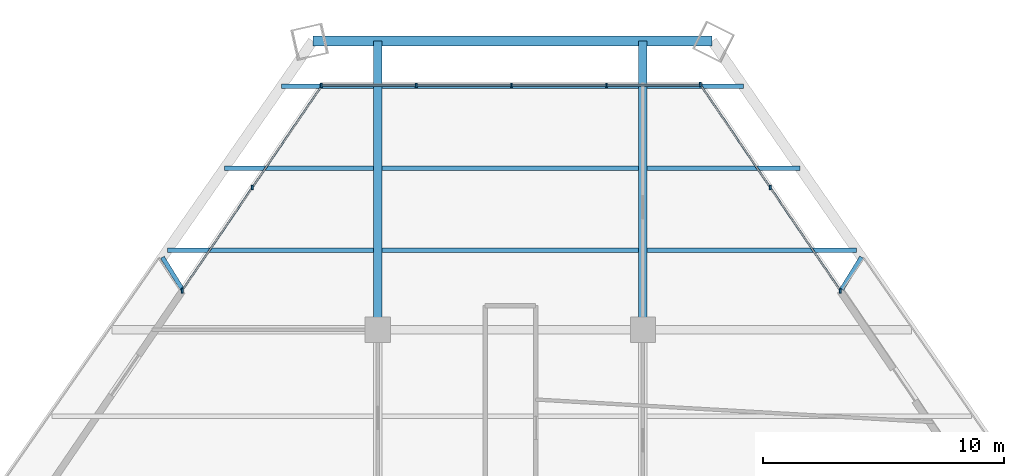
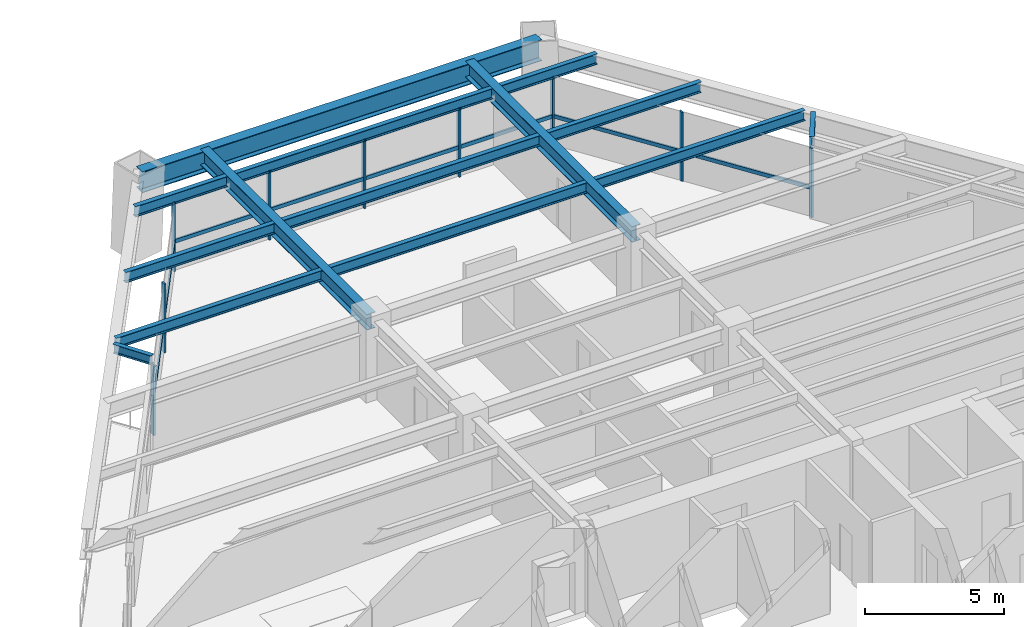
# One storey, part 8 of 14: 18 members, 14 beams, 3 elements without a shape of their own.
"""IFC4 building model written with IfcOpenShell, lengths in metres."""

import ifcopenshell
import ifcopenshell.guid

model = None  # the IFC model being written
_history = None  # IfcOwnerHistory: only IFC2X3 demands one
_inside = {}  # id of a spatial element -> (the spatial element, [elements in it])
_under = {}  # id of a project, library or spatial element -> (it, [spatial elements below it])
_declared = {}  # id of a project -> (the project, [libraries it declares])
_typed = {}  # id of a type object -> (the type object, [elements of that type])
_made_of = {}  # id of a material, layer set ... -> (it, [elements and type objects made of it])


def new_model(schema):
    """Start an empty IFC model of exactly this schema.

    Asked for "IFC4X3", IfcOpenShell would pick the latest addendum, in which some entities
    have other attributes; the version numbers below select the first issue.
    IFC2X3 requires an IfcOwnerHistory on every rooted entity: one is made here for all.
    """
    global model, _history
    if schema == "IFC4X3":
        model = ifcopenshell.file(schema_version=(4, 3, 0, 0))
    else:
        model = ifcopenshell.file(schema=schema)
    _inside.clear()
    _under.clear()
    _declared.clear()
    _typed.clear()
    _made_of.clear()
    _history = None
    if model.schema == "IFC2X3":
        org = make("IfcOrganization", Name="unknown")
        user = make(
            "IfcPersonAndOrganization",
            ThePerson=make("IfcPerson", FamilyName="unknown"),
            TheOrganization=org,
        )
        app = make(
            "IfcApplication",
            ApplicationDeveloper=org,
            Version="unknown",
            ApplicationFullName="unknown",
            ApplicationIdentifier="unknown",
        )
        _history = make(
            "IfcOwnerHistory",
            OwningUser=user,
            OwningApplication=app,
            ChangeAction="ADDED",
            CreationDate=0,
        )
    return model


def make(cls, **values):
    """One entity of the class cls with the attributes given. An attribute that is None is left unset."""
    return model.create_entity(
        cls, **{name: value for name, value in values.items() if value is not None}
    )


def rooted(cls, **values):
    """An entity with a GlobalId (a new one), such as an element, a storey or a relation."""
    return make(cls, GlobalId=ifcopenshell.guid.new(), OwnerHistory=_history, **values)


def si_unit(unit_type, name, prefix=None):
    """IfcSIUnit, for example si_unit("LENGTHUNIT", "METRE", prefix="MILLI")."""
    return make("IfcSIUnit", UnitType=unit_type, Prefix=prefix, Name=name)


def assignment(units):
    """IfcUnitAssignment: the units of a project."""
    return None if units is None else make("IfcUnitAssignment", Units=units)


def point(xyz):
    """IfcCartesianPoint."""
    return None if xyz is None else make("IfcCartesianPoint", Coordinates=xyz)


def direction(xyz):
    """IfcDirection."""
    return None if xyz is None else make("IfcDirection", DirectionRatios=xyz)


def frame(location, z_axis=None, x_axis=None):
    """IfcAxis2Placement3D, a coordinate frame: its origin and axes. An axis left out is left unset."""
    return make(
        "IfcAxis2Placement3D",
        Location=point(location),
        Axis=direction(z_axis),
        RefDirection=direction(x_axis),
    )


def frame_2d(location, x_axis=None):
    """IfcAxis2Placement2D, a coordinate frame in the plane: its origin and x axis."""
    return make(
        "IfcAxis2Placement2D", Location=point(location), RefDirection=direction(x_axis)
    )


def origin():
    """The frame at (0, 0, 0) with its axes left unset."""
    return frame((0.0, 0.0, 0.0))


def origin_2d():
    """The frame at (0, 0) in the plane with its x axis left unset."""
    return frame_2d((0.0, 0.0))


def place(relative_to, where):
    """IfcLocalPlacement: puts the frame where relative to a parent placement (None: the world)."""
    return make(
        "IfcLocalPlacement", PlacementRelTo=relative_to, RelativePlacement=where
    )


def context(
    kind, dimensions, precision=None, world=None, true_north=None, identifier=None
):
    """IfcGeometricRepresentationContext, for example the 3D "Model" context."""
    return make(
        "IfcGeometricRepresentationContext",
        ContextIdentifier=identifier,
        ContextType=kind,
        CoordinateSpaceDimension=dimensions,
        Precision=precision,
        WorldCoordinateSystem=world,
        TrueNorth=true_north,
    )


def subcontext(parent, identifier, kind, view, scale=None):
    """IfcGeometricRepresentationSubContext, for example "Body" below "Model"."""
    return make(
        "IfcGeometricRepresentationSubContext",
        ContextIdentifier=identifier,
        ContextType=kind,
        ParentContext=parent,
        TargetScale=scale,
        TargetView=view,
    )


def project(units=None, contexts=None):
    """IfcProject with its units and contexts."""
    return rooted(
        "IfcProject",
        Name="project",
        RepresentationContexts=contexts,
        UnitsInContext=assignment(units),
    )


def spatial(cls, under=None, at=None, **own):
    """A site, building, storey or space (cls), placed at a placement, below another one or the project."""
    s = rooted(cls, ObjectPlacement=at, **own)
    if under is not None:
        _under.setdefault(under.id(), (under, []))[1].append(s)
    return s


def profile(cls, at=None, kind="AREA", **sizes):
    """A parametric profile (cls). Its sizes go by their IFC names, for example OverallWidth=200.0."""
    return make(cls, ProfileType=kind, Position=at, **sizes)


def rectangle(**sizes):
    """IfcRectangleProfileDef."""
    return profile("IfcRectangleProfileDef", **sizes)


def i_section(**sizes):
    """IfcIShapeProfileDef."""
    return profile("IfcIShapeProfileDef", **sizes)


def extrude(swept, where, along, depth):
    """IfcExtrudedAreaSolid: the profile swept, set in the frame where, extruded along a direction by depth."""
    return make(
        "IfcExtrudedAreaSolid",
        SweptArea=swept,
        Position=where,
        ExtrudedDirection=direction(along),
        Depth=depth,
    )


def shape(context_of_items, identifier, shape_type, items):
    """IfcShapeRepresentation: the items that make up one representation, for example the "Body"."""
    return make(
        "IfcShapeRepresentation",
        ContextOfItems=context_of_items,
        RepresentationIdentifier=identifier,
        RepresentationType=shape_type,
        Items=items,
    )


def source(mapping_origin, context_of_items, identifier, shape_type, items):
    """IfcRepresentationMap: a shape defined once, which mapped items show again and again."""
    return make(
        "IfcRepresentationMap",
        MappingOrigin=mapping_origin,
        MappedRepresentation=shape(context_of_items, identifier, shape_type, items),
    )


def transform(
    local_origin,
    x_axis=None,
    y_axis=None,
    z_axis=None,
    scale=None,
    scale2=None,
    scale3=None,
    uniform=True,
):
    """IfcCartesianTransformationOperator3D, or its non-uniform kind. x_axis, y_axis, z_axis: its Axis1, 2, 3."""
    if uniform:
        return make(
            "IfcCartesianTransformationOperator3D",
            Axis1=direction(x_axis),
            Axis2=direction(y_axis),
            LocalOrigin=point(local_origin),
            Scale=scale,
            Axis3=direction(z_axis),
        )
    return make(
        "IfcCartesianTransformationOperator3DnonUniform",
        Axis1=direction(x_axis),
        Axis2=direction(y_axis),
        LocalOrigin=point(local_origin),
        Scale=scale,
        Axis3=direction(z_axis),
        Scale2=scale2,
        Scale3=scale3,
    )


def mapped(mapping_source, mapping_target):
    """IfcMappedItem: shows the shape of a source again, moved by a transform."""
    return make(
        "IfcMappedItem", MappingSource=mapping_source, MappingTarget=mapping_target
    )


def material(Name=None, Category=None):
    """IfcMaterial."""
    return make("IfcMaterial", Name=Name, Category=Category)


def material_profile(
    of_material, cross_section, Name=None, Category=None, Priority=None
):
    """IfcMaterialProfile: a cross section and its material."""
    return make(
        "IfcMaterialProfile",
        Name=Name,
        Material=of_material,
        Profile=cross_section,
        Priority=Priority,
        Category=Category,
    )


def profile_set(profiles, Name=None, composite=None):
    """IfcMaterialProfileSet."""
    return make(
        "IfcMaterialProfileSet",
        Name=Name,
        MaterialProfiles=profiles,
        CompositeProfile=composite,
    )


def made_of(thing, what):
    """Note that an element or type object is made of a material, layer set ...; save() writes the relation."""
    if what is not None:
        _made_of.setdefault(what.id(), (what, []))[1].append(thing)
    return thing


def type_object(cls, material=None, **own):
    """A type object (cls), such as IfcWallType, which elements share."""
    return made_of(rooted(cls, **own), material)


def type_shapes(of_type, sources):
    """Give a type object the sources (RepresentationMaps) that its elements show as mapped items."""
    of_type.RepresentationMaps = sources


def element(
    cls,
    number,
    at=None,
    inside=None,
    cuts=None,
    type_object=None,
    material=None,
    context=None,
    identifier="Body",
    shape_type=None,
    held_by="IfcProductDefinitionShape",
    body=None,
    shapes=None,
    **own,
):
    """One element of the class cls, such as IfcWall. Its Tag is "e" and its number.

    at: its placement. inside: the storey or other place that contains it. cuts: it is an
    opening in that element (IfcRelVoidsElement). A single representation is given by context,
    identifier, shape_type and body (its items); several are given by shapes. held_by: the class
    of the entity that holds the representations. save() writes the other relations.
    """
    e = rooted(cls, Tag="e%d" % number, ObjectPlacement=at, **own)
    if body is not None:
        shapes = [shape(context, identifier, shape_type, body)]
    if shapes is not None:
        e.Representation = make(held_by, Representations=shapes)
    if inside is not None:
        _inside.setdefault(inside.id(), (inside, []))[1].append(e)
    if cuts is not None:
        rooted(
            "IfcRelVoidsElement", RelatingBuildingElement=cuts, RelatedOpeningElement=e
        )
    if type_object is not None:
        _typed.setdefault(type_object.id(), (type_object, []))[1].append(e)
    return made_of(e, material)


def aggregate(whole, parts):
    """IfcRelAggregates: a whole, such as a stair, and the parts it consists of."""
    return rooted("IfcRelAggregates", RelatingObject=whole, RelatedObjects=parts)


def save(model, path):
    """Write the relations noted so far, then the file.

    IfcRelAggregates (storeys below a building ...), IfcRelContainedInSpatialStructure (elements
    in a storey), IfcRelDefinesByType, IfcRelAssociatesMaterial and IfcRelDeclares: one each for
    every whole, place, type object, material and project.
    """
    for whole, parts in _under.values():
        aggregate(whole, parts)
    for where, things in _inside.values():
        rooted(
            "IfcRelContainedInSpatialStructure",
            RelatedElements=things,
            RelatingStructure=where,
        )
    for kind, things in _typed.values():
        rooted("IfcRelDefinesByType", RelatedObjects=things, RelatingType=kind)
    for what, things in _made_of.values():
        rooted("IfcRelAssociatesMaterial", RelatedObjects=things, RelatingMaterial=what)
    for by, libraries in _declared.values():
        rooted("IfcRelDeclares", RelatingContext=by, RelatedDefinitions=libraries)
    model.write(path)


model = new_model("IFC4")

# Units and contexts
model_context = context("Model", 3, precision=1e-05, world=origin(), true_north=direction((0.0, 1.0)))
body_context = subcontext(model_context, "Body", "Model", "MODEL_VIEW")
ifc_project = project(units=[si_unit("LENGTHUNIT", "METRE"), si_unit("AREAUNIT", "SQUARE_METRE"), si_unit("VOLUMEUNIT", "CUBIC_METRE"), si_unit("PLANEANGLEUNIT", "RADIAN"), si_unit("MASSUNIT", "GRAM", prefix="KILO")], contexts=[model_context])

# Site, building, storey
site_placement = place(None, origin())
site = spatial("IfcSite", under=ifc_project, at=site_placement, CompositionType="ELEMENT")
building_placement = place(site_placement, origin())
building = spatial("IfcBuilding", under=site, at=building_placement, Name="Varnakhor Terracotta Tower", CompositionType="ELEMENT")
storey_placement = place(building_placement, frame((0.0, 0.0, 31.199951171875)))
storey = spatial("IfcBuildingStorey", under=building, at=storey_placement, Name="L06", CompositionType="ELEMENT", Elevation=31.199951171875)

# Beams
ifc_material_1 = material(Name="Steel S355", Category="steel")
ifc_material_profile_1 = material_profile(ifc_material_1, i_section(OverallWidth=0.19189453125, OverallDepth=0.462890625, WebThickness=0.010498046875, FlangeThickness=0.017578125, FilletRadius=0.01806640625, at=origin_2d()), Name="W18X60")
ifc_profile_set_1 = profile_set([ifc_material_profile_1], Name="Steel S355")
beam_type_1 = type_object("IfcBeamType", Name="JST-W18X60", PredefinedType="JOIST", material=ifc_profile_set_1)
shared_shape_1 = source(origin(), body_context, "Body", "SweptSolid", [
    extrude(i_section(OverallWidth=0.19189453125, OverallDepth=0.462890625, WebThickness=0.010498046875, FlangeThickness=0.017578125, FilletRadius=0.01806640625, at=origin_2d()), origin(), (0.0, 0.0, 1.0), 10.65283203125),
])
for number, where, z_axis, x_axis, name in (
    (1, (-5.326416015625, 34.800048828125, 3.218505859375), (1.0, 0.0, 0.0), (0.0, 1.0, 0.0), "L06 Composite Floor Joist 7-2"),
    (2, (-5.326416015625, 38.199951171875, 3.218505859375), (1.0, 0.0, 0.0), (0.0, 1.0, 0.0), "L06 Composite Floor Joist 8-2"),
    (3, (-5.326416015625, 41.60009765625, 3.218505859375), (1.0, 0.0, 0.0), (0.0, 1.0, 0.0), "L06 Composite Floor Joist 9-2"),
):
    element("IfcBeam", number, at=place(storey_placement, frame(where, z_axis=z_axis, x_axis=x_axis)), inside=storey, type_object=beam_type_1, Name=name, PredefinedType="JOIST", context=body_context, shape_type="MappedRepresentation", body=[
        mapped(shared_shape_1, transform((0.0, 0.0, 0.0), scale=1.0)),
    ])
ifc_material_profile_2 = material_profile(ifc_material_1, i_section(OverallWidth=0.41796875, OverallDepth=0.927001953125, WebThickness=0.01904296875, FlangeThickness=0.031982421875, FilletRadius=0.01806640625, at=origin_2d()), Name="W36X231")
ifc_profile_set_2 = profile_set([ifc_material_profile_2], Name="Steel S355")
beam_type_2 = type_object("IfcBeamType", Name="BM-W36X231", PredefinedType="BEAM", material=ifc_profile_set_2)
shared_shape_2 = source(origin(), body_context, "Body", "SweptSolid", [
    extrude(i_section(OverallWidth=0.41796875, OverallDepth=0.927001953125, WebThickness=0.01904296875, FlangeThickness=0.031982421875, FilletRadius=0.01806640625, at=origin_2d()), origin(), (0.0, 0.0, 1.0), 16.574951171875),
])
beam_1_placement = place(storey_placement, frame((8.373779296875, 43.47802734375, 2.986572265625), z_axis=(-1.0, 0.0, 0.0), x_axis=(0.0, -1.0, 0.0)))
element("IfcBeam", 4, at=beam_1_placement, inside=storey, type_object=beam_type_2, Name="L06 Perimeter Spandrel 5", PredefinedType="BEAM", context=body_context, shape_type="MappedRepresentation", body=[
    mapped(shared_shape_2, transform((0.0, 0.0, 0.0), scale=1.0)),
])
ifc_material_profile_3 = material_profile(ifc_material_1, i_section(OverallWidth=0.35498046875, OverallDepth=0.695068359375, WebThickness=0.014892578125, FlangeThickness=0.02490234375, FilletRadius=0.01806640625, at=origin_2d()), Name="W27X146")
ifc_profile_set_3 = profile_set([ifc_material_profile_3], Name="Steel S355")
beam_type_3 = type_object("IfcBeamType", Name="BM-W27X146", PredefinedType="BEAM", material=ifc_profile_set_3)
shared_shape_3 = source(origin(), body_context, "Body", "SweptSolid", [
    extrude(i_section(OverallWidth=0.35498046875, OverallDepth=0.695068359375, WebThickness=0.014892578125, FlangeThickness=0.02490234375, FilletRadius=0.01806640625, at=origin_2d()), origin(), (0.0, 0.0, 1.0), 11.97802734375),
])
for number, where, z_axis, x_axis, name in (
    (5, (-5.5, 31.5, 3.1025390625), (0.0, 1.0, 0.0), (-1.0, 0.0, 0.0), "L06 Primary Girder NS3-W"),
    (6, (5.5, 31.5, 3.1025390625), (0.0, 1.0, 0.0), (-1.0, 0.0, 0.0), "L06 Primary Girder NS3-E"),
):
    element("IfcBeam", number, at=place(storey_placement, frame(where, z_axis=z_axis, x_axis=x_axis)), inside=storey, type_object=beam_type_3, Name=name, PredefinedType="BEAM", context=body_context, shape_type="MappedRepresentation", body=[
        mapped(shared_shape_3, transform((0.0, 0.0, 0.0), scale=1.0)),
    ])
shared_shape_4 = source(origin(), body_context, "Body", "SweptSolid", [
    extrude(i_section(OverallWidth=0.19189453125, OverallDepth=0.462890625, WebThickness=0.010498046875, FlangeThickness=0.017578125, FilletRadius=0.01806640625, at=origin_2d()), origin(), (0.0, 0.0, 1.0), 8.560302734375),
])
beam_2_placement = place(storey_placement, frame((-14.23388671875, 34.800048828125, 3.218505859375), z_axis=(1.0, 0.0, 0.0), x_axis=(0.0, 1.0, 0.0)))
element("IfcBeam", 7, at=beam_2_placement, inside=storey, type_object=beam_type_1, Name="L06 Composite Floor Joist 7-1", PredefinedType="JOIST", context=body_context, shape_type="MappedRepresentation", body=[
    mapped(shared_shape_4, transform((0.0, 0.0, 0.0), scale=1.0)),
])
shared_shape_5 = source(origin(), body_context, "Body", "SweptSolid", [
    extrude(i_section(OverallWidth=0.19189453125, OverallDepth=0.462890625, WebThickness=0.010498046875, FlangeThickness=0.017578125, FilletRadius=0.01806640625, at=origin_2d()), origin(), (0.0, 0.0, 1.0), 8.69873046875),
])
beam_3_placement = place(storey_placement, frame((5.673583984375, 34.800048828125, 3.218505859375), z_axis=(1.0, 0.0, 0.0), x_axis=(0.0, 1.0, 0.0)))
element("IfcBeam", 8, at=beam_3_placement, inside=storey, type_object=beam_type_1, Name="L06 Composite Floor Joist 7-3", PredefinedType="JOIST", context=body_context, shape_type="MappedRepresentation", body=[
    mapped(shared_shape_5, transform((0.0, 0.0, 0.0), scale=1.0)),
])
shared_shape_6 = source(origin(), body_context, "Body", "SweptSolid", [
    extrude(i_section(OverallWidth=0.19189453125, OverallDepth=0.462890625, WebThickness=0.010498046875, FlangeThickness=0.017578125, FilletRadius=0.01806640625, at=origin_2d()), origin(), (0.0, 0.0, 1.0), 6.19677734375),
])
beam_4_placement = place(storey_placement, frame((-11.870361328125, 38.199951171875, 3.218505859375), z_axis=(1.0, 0.0, 0.0), x_axis=(0.0, 1.0, 0.0)))
element("IfcBeam", 9, at=beam_4_placement, inside=storey, type_object=beam_type_1, Name="L06 Composite Floor Joist 8-1", PredefinedType="JOIST", context=body_context, shape_type="MappedRepresentation", body=[
    mapped(shared_shape_6, transform((0.0, 0.0, 0.0), scale=1.0)),
])
shared_shape_7 = source(origin(), body_context, "Body", "SweptSolid", [
    extrude(i_section(OverallWidth=0.19189453125, OverallDepth=0.462890625, WebThickness=0.010498046875, FlangeThickness=0.017578125, FilletRadius=0.01806640625, at=origin_2d()), origin(), (0.0, 0.0, 1.0), 6.3486328125),
])
beam_5_placement = place(storey_placement, frame((5.673583984375, 38.199951171875, 3.218505859375), z_axis=(1.0, 0.0, 0.0), x_axis=(0.0, 1.0, 0.0)))
element("IfcBeam", 10, at=beam_5_placement, inside=storey, type_object=beam_type_1, Name="L06 Composite Floor Joist 8-3", PredefinedType="JOIST", context=body_context, shape_type="MappedRepresentation", body=[
    mapped(shared_shape_7, transform((0.0, 0.0, 0.0), scale=1.0)),
])
shared_shape_8 = source(origin(), body_context, "Body", "SweptSolid", [
    extrude(i_section(OverallWidth=0.19189453125, OverallDepth=0.462890625, WebThickness=0.010498046875, FlangeThickness=0.017578125, FilletRadius=0.01806640625, at=origin_2d()), origin(), (0.0, 0.0, 1.0), 3.8330078125),
])
beam_6_placement = place(storey_placement, frame((-9.506591796875, 41.60009765625, 3.218505859375), z_axis=(1.0, 0.0, 0.0), x_axis=(0.0, 1.0, 0.0)))
element("IfcBeam", 11, at=beam_6_placement, inside=storey, type_object=beam_type_1, Name="L06 Composite Floor Joist 9-1", PredefinedType="JOIST", context=body_context, shape_type="MappedRepresentation", body=[
    mapped(shared_shape_8, transform((0.0, 0.0, 0.0), scale=1.0)),
])
shared_shape_9 = source(origin(), body_context, "Body", "SweptSolid", [
    extrude(i_section(OverallWidth=0.19189453125, OverallDepth=0.462890625, WebThickness=0.010498046875, FlangeThickness=0.017578125, FilletRadius=0.01806640625, at=origin_2d()), origin(), (0.0, 0.0, 1.0), 3.99853515625),
])
beam_7_placement = place(storey_placement, frame((5.673583984375, 41.60009765625, 3.218505859375), z_axis=(1.0, 0.0, 0.0), x_axis=(0.0, 1.0, 0.0)))
element("IfcBeam", 12, at=beam_7_placement, inside=storey, type_object=beam_type_1, Name="L06 Composite Floor Joist 9-3", PredefinedType="JOIST", context=body_context, shape_type="MappedRepresentation", body=[
    mapped(shared_shape_9, transform((0.0, 0.0, 0.0), scale=1.0)),
])

# Curtain wall, members
ifc_material_2 = material(Name="Anodised Aluminium Curtain Wall System", Category="aluminium")
curtain_wall_type = type_object("IfcCurtainWallType", Name="CW-SYS-LOW-OFFICE", PredefinedType="NOTDEFINED", material=ifc_material_2)
curtain_wall_1_placement = place(storey_placement, origin())
curtain_wall_1 = element("IfcCurtainWall", 13, at=curtain_wall_1_placement, inside=storey, type_object=curtain_wall_type, Name="L06 W Facet Curtain Wall 2", PredefinedType="NOTDEFINED")
ifc_material_3 = material(Name="Anodised Aluminium 6063-T6", Category="aluminium")
ifc_material_profile_4 = material_profile(ifc_material_3, rectangle(XDim=0.074951171875, YDim=0.18505859375, at=origin_2d()), Name="ALU MULLION 75x185")
ifc_profile_set_4 = profile_set([ifc_material_profile_4], Name="Anodised Aluminium 6063-T6")
member_type_1 = type_object("IfcMemberType", Name="CWM-02", PredefinedType="MULLION", material=ifc_profile_set_4)
shared_shape_10 = source(origin(), body_context, "Body", "SweptSolid", [
    extrude(rectangle(XDim=0.074951171875, YDim=0.18505859375, at=origin_2d()), origin(), (0.0, 0.0, 1.0), 3.030029296875),
])
type_shapes(member_type_1, [shared_shape_10])
member_1_placement = place(storey_placement, frame((-13.616455078125, 33.135009765625, 0.0), z_axis=(0.0, 0.0, 1.0), x_axis=(1.0, 0.0, 0.0)))
member_1 = element("IfcMember", 14, at=member_1_placement, type_object=member_type_1, Name="L06 W Facet Curtain Wall 2 Mullion 1", PredefinedType="MULLION", context=body_context, shape_type="MappedRepresentation", body=[
    mapped(shared_shape_10, transform((0.0, 0.0, 0.0), scale=1.0)),
])
member_2_placement = place(storey_placement, frame((-10.706298828125, 37.40185546875, 0.0), z_axis=(0.0, 0.0, 1.0), x_axis=(1.0, 0.0, 0.0)))
member_2 = element("IfcMember", 15, at=member_2_placement, type_object=member_type_1, Name="L06 W Facet Curtain Wall 2 Mullion 2", PredefinedType="MULLION", context=body_context, shape_type="MappedRepresentation", body=[
    mapped(shared_shape_10, transform((0.0, 0.0, 0.0), scale=1.0)),
])
member_3_placement = place(storey_placement, frame((-13.616943359375, 33.09912109375, 0.0), z_axis=(0.0, 0.0, 1.0), x_axis=(1.0, 0.0, 0.0)))
member_3 = element("IfcMember", 16, at=member_3_placement, type_object=member_type_1, Name="L06 W Loggia Jamb Closure Mullion 2", PredefinedType="MULLION", context=body_context, shape_type="MappedRepresentation", body=[
    mapped(shared_shape_10, transform((0.0, 0.0, 0.0), scale=1.0)),
])

curtain_wall_2_placement = place(storey_placement, origin())
curtain_wall_2 = element("IfcCurtainWall", 17, at=curtain_wall_2_placement, inside=storey, type_object=curtain_wall_type, Name="L06 Facet Curtain Wall 2", PredefinedType="NOTDEFINED")
member_4_placement = place(storey_placement, frame((-7.847900390625, 41.64111328125, 0.0), z_axis=(0.0, 0.0, 1.0), x_axis=(1.0, 0.0, 0.0)))
member_4 = element("IfcMember", 18, at=member_4_placement, type_object=member_type_1, Name="L06 Facet Curtain Wall 2 Mullion 1", PredefinedType="MULLION", context=body_context, shape_type="MappedRepresentation", body=[
    mapped(shared_shape_10, transform((0.0, 0.0, 0.0), scale=1.0)),
])
member_5_placement = place(storey_placement, frame((-3.90234375, 41.64111328125, 0.0), z_axis=(0.0, 0.0, 1.0), x_axis=(1.0, 0.0, 0.0)))
member_5 = element("IfcMember", 19, at=member_5_placement, type_object=member_type_1, Name="L06 Facet Curtain Wall 2 Mullion 2", PredefinedType="MULLION", context=body_context, shape_type="MappedRepresentation", body=[
    mapped(shared_shape_10, transform((0.0, 0.0, 0.0), scale=1.0)),
])
member_6_placement = place(storey_placement, frame((0.043212890625, 41.64111328125, 0.0), z_axis=(0.0, 0.0, 1.0), x_axis=(1.0, 0.0, 0.0)))
member_6 = element("IfcMember", 20, at=member_6_placement, type_object=member_type_1, Name="L06 Facet Curtain Wall 2 Mullion 3", PredefinedType="MULLION", context=body_context, shape_type="MappedRepresentation", body=[
    mapped(shared_shape_10, transform((0.0, 0.0, 0.0), scale=1.0)),
])
member_7_placement = place(storey_placement, frame((3.989013671875, 41.64111328125, 0.0), z_axis=(0.0, 0.0, 1.0), x_axis=(1.0, 0.0, 0.0)))
member_7 = element("IfcMember", 21, at=member_7_placement, type_object=member_type_1, Name="L06 Facet Curtain Wall 2 Mullion 4", PredefinedType="MULLION", context=body_context, shape_type="MappedRepresentation", body=[
    mapped(shared_shape_10, transform((0.0, 0.0, 0.0), scale=1.0)),
])

curtain_wall_3_placement = place(storey_placement, origin())
curtain_wall_3 = element("IfcCurtainWall", 22, at=curtain_wall_3_placement, inside=storey, type_object=curtain_wall_type, Name="L06 E Facet Curtain Wall 1", PredefinedType="NOTDEFINED")
member_8_placement = place(storey_placement, frame((7.882080078125, 41.668701171875, 0.0), z_axis=(0.0, 0.0, 1.0), x_axis=(1.0, 0.0, 0.0)))
member_8 = element("IfcMember", 23, at=member_8_placement, type_object=member_type_1, Name="L06 E Facet Curtain Wall 1 Mullion 1", PredefinedType="MULLION", context=body_context, shape_type="MappedRepresentation", body=[
    mapped(shared_shape_10, transform((0.0, 0.0, 0.0), scale=1.0)),
])
member_9_placement = place(storey_placement, frame((10.782958984375, 37.403076171875, 0.0), z_axis=(0.0, 0.0, 1.0), x_axis=(1.0, 0.0, 0.0)))
member_9 = element("IfcMember", 24, at=member_9_placement, type_object=member_type_1, Name="L06 E Facet Curtain Wall 1 Mullion 2", PredefinedType="MULLION", context=body_context, shape_type="MappedRepresentation", body=[
    mapped(shared_shape_10, transform((0.0, 0.0, 0.0), scale=1.0)),
])
member_10_placement = place(storey_placement, frame((13.68408203125, 33.10107421875, 0.0), z_axis=(0.0, 0.0, 1.0), x_axis=(1.0, 0.0, 0.0)))
member_10 = element("IfcMember", 25, at=member_10_placement, type_object=member_type_1, Name="L06 E Loggia Jamb Closure Mullion 1", PredefinedType="MULLION", context=body_context, shape_type="MappedRepresentation", body=[
    mapped(shared_shape_10, transform((0.0, 0.0, 0.0), scale=1.0)),
])

# Member
ifc_material_profile_5 = material_profile(ifc_material_3, rectangle(XDim=0.074951171875, YDim=0.1650390625, at=origin_2d()), Name="ALU TRANSOM 75x165")
ifc_profile_set_5 = profile_set([ifc_material_profile_5], Name="Anodised Aluminium 6063-T6")
member_type_2 = type_object("IfcMemberType", Name="CWT-02", PredefinedType="USERDEFINED", material=ifc_profile_set_5)
shared_shape_11 = source(origin(), body_context, "Body", "SweptSolid", [
    extrude(rectangle(XDim=0.074951171875, YDim=0.1650390625, at=origin_2d()), origin(), (0.0, 0.0, 1.0), 5.1650390625),
])
member_11_placement = place(storey_placement, frame((-10.706298828125, 37.40185546875, 1.272705078125), z_axis=(0.563493755561, 0.826120322619, 0.0), x_axis=(-0.826120322619, 0.563493755561, 0.0)))
member_11 = element("IfcMember", 26, at=member_11_placement, type_object=member_type_2, Name="L06 W Facet Curtain Wall 2 Transom 2", ObjectType="TRANSOM", PredefinedType="USERDEFINED", context=body_context, shape_type="MappedRepresentation", body=[
    mapped(shared_shape_11, transform((0.0, 0.0, 0.0), scale=1.0)),
])

shared_shape_12 = source(origin(), body_context, "Body", "SweptSolid", [
    extrude(rectangle(XDim=0.074951171875, YDim=0.1650390625, at=origin_2d()), origin(), (0.0, 0.0, 1.0), 5.164794921875),
])
member_12_placement = place(storey_placement, frame((-13.616455078125, 33.135009765625, 1.272705078125), z_axis=(0.563461494371, 0.82614232694, 0.0), x_axis=(-0.82614232694, 0.563461494371, 0.0)))
member_12 = element("IfcMember", 27, at=member_12_placement, type_object=member_type_2, Name="L06 W Facet Curtain Wall 2 Transom 1", ObjectType="TRANSOM", PredefinedType="USERDEFINED", context=body_context, shape_type="MappedRepresentation", body=[
    mapped(shared_shape_12, transform((0.0, 0.0, 0.0), scale=1.0)),
])

aggregate(curtain_wall_1, [member_1, member_12, member_2, member_11, member_3])

shared_shape_13 = source(origin(), body_context, "Body", "SweptSolid", [
    extrude(rectangle(XDim=0.074951171875, YDim=0.1650390625, at=origin_2d()), origin(), (0.0, 0.0, 1.0), 3.945556640625),
])
member_13_placement = place(storey_placement, frame((-7.847900390625, 41.64111328125, 1.272705078125), z_axis=(1.0, 0.0, 0.0), x_axis=(0.0, 1.0, 0.0)))
member_13 = element("IfcMember", 28, at=member_13_placement, type_object=member_type_2, Name="L06 Facet Curtain Wall 2 Transom 1", ObjectType="TRANSOM", PredefinedType="USERDEFINED", context=body_context, shape_type="MappedRepresentation", body=[
    mapped(shared_shape_13, transform((0.0, 0.0, 0.0), scale=1.0)),
])

member_14_placement = place(storey_placement, frame((-3.90234375, 41.64111328125, 1.272705078125), z_axis=(1.0, 0.0, 0.0), x_axis=(0.0, 1.0, 0.0)))
member_14 = element("IfcMember", 29, at=member_14_placement, type_object=member_type_2, Name="L06 Facet Curtain Wall 2 Transom 2", ObjectType="TRANSOM", PredefinedType="USERDEFINED", context=body_context, shape_type="MappedRepresentation", body=[
    mapped(shared_shape_13, transform((0.0, 0.0, 0.0), scale=1.0)),
])

member_15_placement = place(storey_placement, frame((3.989013671875, 41.64111328125, 1.272705078125), z_axis=(1.0, 0.0, 0.0), x_axis=(0.0, 1.0, 0.0)))
member_15 = element("IfcMember", 30, at=member_15_placement, type_object=member_type_2, Name="L06 Facet Curtain Wall 2 Transom 4", ObjectType="TRANSOM", PredefinedType="USERDEFINED", context=body_context, shape_type="MappedRepresentation", body=[
    mapped(shared_shape_13, transform((0.0, 0.0, 0.0), scale=1.0)),
])

shared_shape_14 = source(origin(), body_context, "Body", "SweptSolid", [
    extrude(rectangle(XDim=0.074951171875, YDim=0.1650390625, at=origin_2d()), origin(), (0.0, 0.0, 1.0), 3.94580078125),
])
member_16_placement = place(storey_placement, frame((0.043212890625, 41.64111328125, 1.272705078125), z_axis=(1.0, 0.0, 0.0), x_axis=(0.0, 1.0, 0.0)))
member_16 = element("IfcMember", 31, at=member_16_placement, type_object=member_type_2, Name="L06 Facet Curtain Wall 2 Transom 3", ObjectType="TRANSOM", PredefinedType="USERDEFINED", context=body_context, shape_type="MappedRepresentation", body=[
    mapped(shared_shape_14, transform((0.0, 0.0, 0.0), scale=1.0)),
])

aggregate(curtain_wall_2, [member_4, member_13, member_5, member_14, member_6, member_16, member_7, member_15])

shared_shape_15 = source(origin(), body_context, "Body", "SweptSolid", [
    extrude(rectangle(XDim=0.074951171875, YDim=0.1650390625, at=origin_2d()), origin(), (0.0, 0.0, 1.0), 5.158447265625),
])
member_17_placement = place(storey_placement, frame((7.882080078125, 41.668701171875, 1.272705078125), z_axis=(0.562343678254, -0.826903614412, 0.0), x_axis=(0.826903614412, 0.562343678254, 0.0)))
member_17 = element("IfcMember", 32, at=member_17_placement, type_object=member_type_2, Name="L06 E Facet Curtain Wall 1 Transom 1", ObjectType="TRANSOM", PredefinedType="USERDEFINED", context=body_context, shape_type="MappedRepresentation", body=[
    mapped(shared_shape_15, transform((0.0, 0.0, 0.0), scale=1.0)),
])

shared_shape_16 = source(origin(), body_context, "Body", "SweptSolid", [
    extrude(rectangle(XDim=0.074951171875, YDim=0.1650390625, at=origin_2d()), origin(), (0.0, 0.0, 1.0), 5.15869140625),
])
member_18_placement = place(storey_placement, frame((10.782958984375, 37.403076171875, 1.272705078125), z_axis=(0.562321671504, -0.826918579884, 0.0), x_axis=(0.826918579884, 0.562321671504, 0.0)))
member_18 = element("IfcMember", 33, at=member_18_placement, type_object=member_type_2, Name="L06 E Facet Curtain Wall 1 Transom 2", ObjectType="TRANSOM", PredefinedType="USERDEFINED", context=body_context, shape_type="MappedRepresentation", body=[
    mapped(shared_shape_16, transform((0.0, 0.0, 0.0), scale=1.0)),
])

aggregate(curtain_wall_3, [member_8, member_17, member_9, member_18, member_10])

# Beams
ifc_material_profile_6 = material_profile(ifc_material_1, i_section(OverallWidth=0.179931640625, OverallDepth=0.39990234375, WebThickness=0.008544921875, FlangeThickness=0.013427734375, FilletRadius=0.01806640625, at=origin_2d()), Name="IPE400")
ifc_profile_set_6 = profile_set([ifc_material_profile_6], Name="Steel S355")
beam_type_4 = type_object("IfcBeamType", Name="JST-IPE400", PredefinedType="JOIST", material=ifc_profile_set_6)
shared_shape_17 = source(origin(), body_context, "Body", "SweptSolid", [
    extrude(i_section(OverallWidth=0.179931640625, OverallDepth=0.39990234375, WebThickness=0.008544921875, FlangeThickness=0.013427734375, FilletRadius=0.01806640625, at=origin_2d()), origin(), (0.0, 0.0, 1.0), 1.5751953125),
])
beam_8_placement = place(storey_placement, frame((13.74462890625, 33.168212890625, 3.25), z_axis=(0.527293411557, 0.8496832693, 0.0), x_axis=(-0.8496832693, 0.527293411557, 0.0)))
element("IfcBeam", 34, at=beam_8_placement, inside=storey, type_object=beam_type_4, Name="L07 E Loggia Tie Beam 1", PredefinedType="JOIST", context=body_context, shape_type="MappedRepresentation", body=[
    mapped(shared_shape_17, transform((0.0, 0.0, 0.0), scale=1.0)),
])
shared_shape_18 = source(origin(), body_context, "Body", "SweptSolid", [
    extrude(i_section(OverallWidth=0.179931640625, OverallDepth=0.39990234375, WebThickness=0.008544921875, FlangeThickness=0.013427734375, FilletRadius=0.01806640625, at=origin_2d()), origin(), (0.0, 0.0, 1.0), 1.574951171875),
])
beam_9_placement = place(storey_placement, frame((-13.610107421875, 33.164306640625, 3.25), z_axis=(-0.527474751977, 0.849570706902, 0.0), x_axis=(-0.849570706902, -0.527474751977, 0.0)))
element("IfcBeam", 35, at=beam_9_placement, inside=storey, type_object=beam_type_4, Name="L07 W Loggia Tie Beam 2", PredefinedType="JOIST", context=body_context, shape_type="MappedRepresentation", body=[
    mapped(shared_shape_18, transform((0.0, 0.0, 0.0), scale=1.0)),
])

save(model, "model.ifc")
